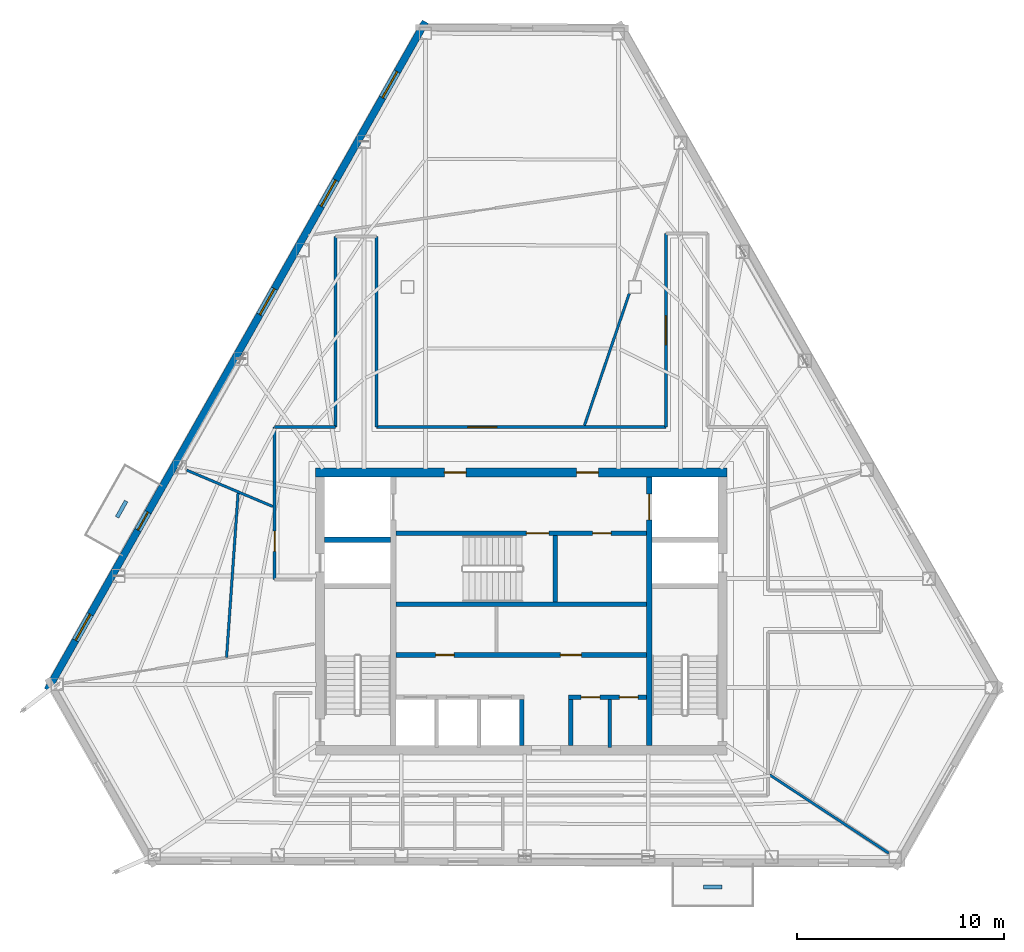
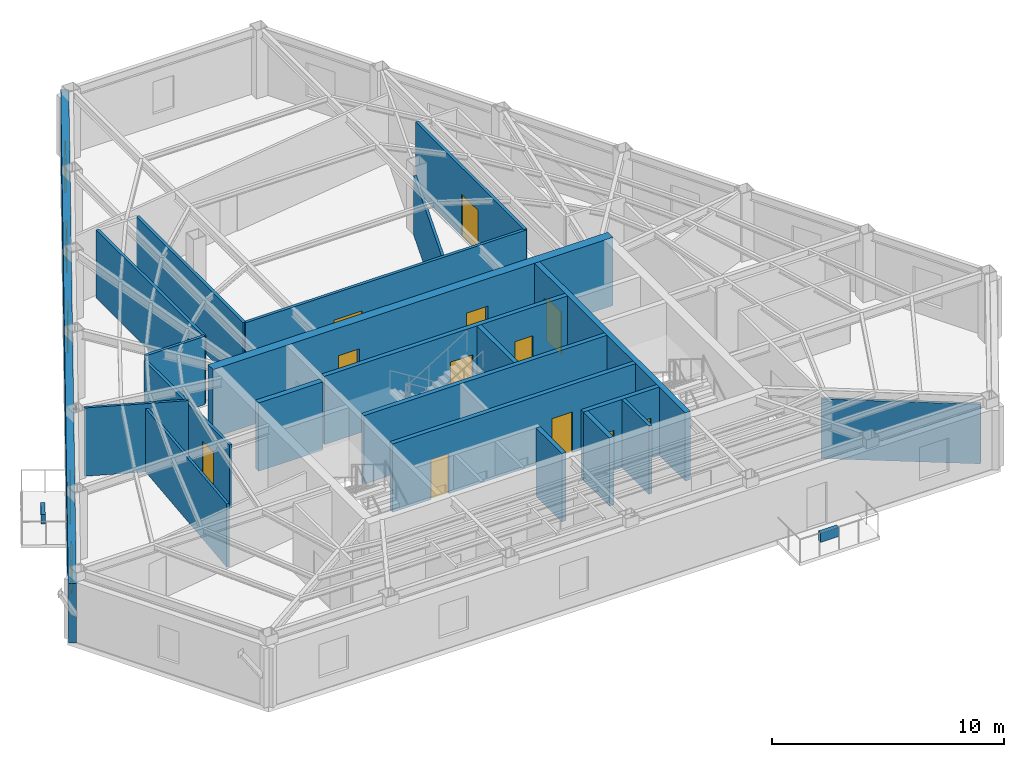
# One storey, part 9 of 13: 24 walls, 13 doors, 4 windows, 17 openings.
"""IFC4 building model written with IfcOpenShell, lengths in metres."""

from ifc_helpers import new_model, si_unit, direction, frame, frame_2d, origin, place, context, subcontext, project, spatial, rectangle, extrude, material, layer, layer_set, type_object, element, fill, save


model = new_model("IFC4")

# Units and contexts
model_context = context("Model", 3, precision=1e-05, world=origin(), true_north=direction((0.0, 1.0)))
body_context = subcontext(model_context, "Body", "Model", "MODEL_VIEW")
ifc_project = project(units=[si_unit("LENGTHUNIT", "METRE"), si_unit("AREAUNIT", "SQUARE_METRE"), si_unit("VOLUMEUNIT", "CUBIC_METRE"), si_unit("PLANEANGLEUNIT", "RADIAN"), si_unit("MASSUNIT", "GRAM", prefix="KILO")], contexts=[model_context])

# Site, building, storey
site_placement = place(None, origin())
site = spatial("IfcSite", under=ifc_project, at=site_placement, CompositionType="ELEMENT")
building_placement = place(site_placement, origin())
building = spatial("IfcBuilding", under=site, at=building_placement, Name="Kavelnor Concourse Tower", CompositionType="ELEMENT")
storey_placement = place(building_placement, frame((0.0, 0.0, 168.85009765625)))
storey = spatial("IfcBuildingStorey", under=building, at=storey_placement, Name="L42", CompositionType="ELEMENT", Elevation=168.85009765625)

# Wall, openings, doors
ifc_material_1 = material(Name="Concrete C50/60", Category="concrete")
ifc_layer_1 = layer(ifc_material_1, 0.43994140625, Name="Concrete C50/60")
ifc_layer_set_1 = layer_set([ifc_layer_1], Name="Concrete C50/60")
wall_type_1 = type_object("IfcWallType", Name="WL-CORE-Z3-440", PredefinedType="SOLIDWALL", material=ifc_layer_set_1)
wall_1_placement = place(storey_placement, frame((28.0400390625, 22.820068359375, 0.0), z_axis=(0.0, 0.0, 1.0), x_axis=(1.0, 0.0, 0.0)))
wall_1 = element("IfcWall", 1, at=wall_1_placement, inside=storey, type_object=wall_type_1, Name="L42 Central Core North Shear Wall", PredefinedType="SOLIDWALL", context=body_context, shape_type="SweptSolid", body=[
    extrude(rectangle(XDim=19.919921875, YDim=0.43994140625, at=frame_2d((9.9599609375, 0.0))), origin(), (0.0, 0.0, 1.0), 3.599853515625),
])
opening_1_placement = place(wall_1_placement, frame((6.235107421875, 0.0, 0.0)))
opening_1 = element("IfcOpeningElement", 2, at=opening_1_placement, cuts=wall_1, Name="Opening FD-105", PredefinedType="OPENING", context=body_context, shape_type="SweptSolid", body=[
    extrude(rectangle(XDim=1.050048828125, YDim=2.14990234375, at=frame_2d((0.52490234375, 1.074951171875))), frame((0.0, 0.22998046875, 0.0), z_axis=(0.0, -1.0, 0.0), x_axis=(1.0, 0.0, 0.0)), (0.0, 0.0, 1.0), 0.4599609375),
])
opening_2_placement = place(wall_1_placement, frame((12.635009765625, 0.0, 0.0)))
opening_2 = element("IfcOpeningElement", 3, at=opening_2_placement, cuts=wall_1, Name="Opening FD-105", PredefinedType="OPENING", context=body_context, shape_type="SweptSolid", body=[
    extrude(rectangle(XDim=1.050048828125, YDim=2.14990234375, at=frame_2d((0.52490234375, 1.074951171875))), frame((0.0, 0.22998046875, 0.0), z_axis=(0.0, -1.0, 0.0), x_axis=(1.0, 0.0, 0.0)), (0.0, 0.0, 1.0), 0.4599609375),
])
ifc_material_2 = material(Name="Steel Grade 350", Category="steel")
door_type_1 = type_object("IfcDoorType", Name="DR-LOBBY-FIRE-1050", OperationType="NOTDEFINED", PredefinedType="DOOR", material=ifc_material_2)
door_1_placement = place(opening_1_placement, origin())
door_1 = element("IfcDoor", 4, at=door_1_placement, inside=storey, type_object=door_type_1, Name="L42 Emergency Lift Lobby West Door", OperationType="SINGLE_SWING_LEFT", OverallHeight=2.14990234375, OverallWidth=1.050048828125, PredefinedType="DOOR", context=body_context, shape_type="SweptSolid", body=[
    extrude(rectangle(XDim=1.050048828125, YDim=2.14990234375, at=frame_2d((0.52490234375, 1.074951171875))), frame((0.0, 0.02490234375, 0.0), z_axis=(0.0, -1.0, 0.0), x_axis=(1.0, 0.0, 0.0)), (0.0, 0.0, 1.0), 0.050048828125),
])
fill(opening_1, door_1)
door_2_placement = place(opening_2_placement, origin())
door_2 = element("IfcDoor", 5, at=door_2_placement, inside=storey, type_object=door_type_1, Name="L42 Emergency Lift Lobby East Door", OperationType="SINGLE_SWING_RIGHT", OverallHeight=2.14990234375, OverallWidth=1.050048828125, PredefinedType="DOOR", context=body_context, shape_type="SweptSolid", body=[
    extrude(rectangle(XDim=1.050048828125, YDim=2.14990234375, at=frame_2d((0.52490234375, 1.074951171875))), frame((0.0, 0.02490234375, 0.0), z_axis=(0.0, -1.0, 0.0), x_axis=(1.0, 0.0, 0.0)), (0.0, 0.0, 1.0), 0.050048828125),
])
fill(opening_2, door_2)

# Wall, openings, door, windows
ifc_material_3 = material(Name="Red-ochre clay face brick masonry", Category="masonry")
ifc_layer_2 = layer(ifc_material_3, 0.35009765625, Name="Red-ochre clay face brick masonry")
ifc_layer_set_2 = layer_set([ifc_layer_2], Name="Red-ochre clay face brick masonry")
wall_type_2 = type_object("IfcWallType", Name="WL-EXT-RED-BRICK-PIER-350", PredefinedType="STANDARD", material=ifc_layer_set_2)
wall_2_placement = place(storey_placement, frame((15.072021484375, 12.29248046875, 0.0), z_axis=(0.0, 0.0, 1.0), x_axis=(0.492336574501, 0.870404904288, 0.0)))
wall_2 = element("IfcWall", 6, at=wall_2_placement, inside=storey, type_object=wall_type_2, Name="L42 Exterior Brick Facade Wall E1", PredefinedType="STANDARD", context=body_context, shape_type="SweptSolid", body=[
    extrude(rectangle(XDim=37.150390625, YDim=0.35009765625, at=frame_2d((18.5751953125, 0.0))), origin(), (0.0, 0.0, 1.0), 3.1318359375),
])
opening_3_placement = place(wall_2_placement, frame((8.8876953125, 0.0, 0.0)))
opening_3 = element("IfcOpeningElement", 7, at=opening_3_placement, cuts=wall_2, Name="Opening BD-100", PredefinedType="OPENING", context=body_context, shape_type="SweptSolid", body=[
    extrude(rectangle(XDim=1.0, YDim=2.199951171875, at=frame_2d((0.5, 1.10009765625))), frame((0.0, 0.18505859375, 0.0), z_axis=(0.0, -1.0, 0.0), x_axis=(1.0, 0.0, 0.0)), (0.0, 0.0, 1.0), 0.3701171875),
])
opening_4_placement = place(wall_2_placement, frame((32.927978515625, 0.0, 0.64990234375)))
opening_4 = element("IfcOpeningElement", 8, at=opening_4_placement, cuts=wall_2, Name="Opening W-03", PredefinedType="OPENING", context=body_context, shape_type="SweptSolid", body=[
    extrude(rectangle(XDim=1.449951171875, YDim=1.75, at=frame_2d((0.72509765625, 0.875))), frame((0.0, 0.18505859375, 0.0), z_axis=(0.0, -1.0, 0.0), x_axis=(1.0, 0.0, 0.0)), (0.0, 0.0, 1.0), 0.3701171875),
])
opening_5_placement = place(wall_2_placement, frame((26.895263671875, 0.0, 0.64990234375)))
opening_5 = element("IfcOpeningElement", 9, at=opening_5_placement, cuts=wall_2, Name="Opening W-03", PredefinedType="OPENING", context=body_context, shape_type="SweptSolid", body=[
    extrude(rectangle(XDim=1.449951171875, YDim=1.75, at=frame_2d((0.72509765625, 0.875))), frame((0.0, 0.18505859375, 0.0), z_axis=(0.0, -1.0, 0.0), x_axis=(1.0, 0.0, 0.0)), (0.0, 0.0, 1.0), 0.3701171875),
])
opening_6_placement = place(wall_2_placement, frame((20.8623046875, 0.0, 0.64990234375)))
opening_6 = element("IfcOpeningElement", 10, at=opening_6_placement, cuts=wall_2, Name="Opening W-03", PredefinedType="OPENING", context=body_context, shape_type="SweptSolid", body=[
    extrude(rectangle(XDim=1.449951171875, YDim=1.75, at=frame_2d((0.72509765625, 0.875))), frame((0.0, 0.18505859375, 0.0), z_axis=(0.0, -1.0, 0.0), x_axis=(1.0, 0.0, 0.0)), (0.0, 0.0, 1.0), 0.3701171875),
])
opening_7_placement = place(wall_2_placement, frame((2.763916015625, 0.0, 0.64990234375)))
opening_7 = element("IfcOpeningElement", 11, at=opening_7_placement, cuts=wall_2, Name="Opening W-03", PredefinedType="OPENING", context=body_context, shape_type="SweptSolid", body=[
    extrude(rectangle(XDim=1.449951171875, YDim=1.75, at=frame_2d((0.72509765625, 0.875))), frame((0.0, 0.18505859375, 0.0), z_axis=(0.0, -1.0, 0.0), x_axis=(1.0, 0.0, 0.0)), (0.0, 0.0, 1.0), 0.3701171875),
])
ifc_material_4 = material(Name="Anodised aluminium 6063-T6", Category="aluminium")
door_type_2 = type_object("IfcDoorType", Name="DR-BALCONY-EXT-1000", OperationType="NOTDEFINED", PredefinedType="DOOR", material=ifc_material_4)
door_3_placement = place(opening_3_placement, origin())
door_3 = element("IfcDoor", 12, at=door_3_placement, inside=storey, type_object=door_type_2, Name="L42 Tree Balcony 1 Glazed Door", OperationType="SINGLE_SWING_LEFT", OverallHeight=2.199951171875, OverallWidth=1.0, PredefinedType="DOOR", context=body_context, shape_type="SweptSolid", body=[
    extrude(rectangle(XDim=1.0, YDim=2.199951171875, at=frame_2d((0.5, 1.10009765625))), frame((0.0, 0.02490234375, 0.0), z_axis=(0.0, -1.0, 0.0), x_axis=(1.0, 0.0, 0.0)), (0.0, 0.0, 1.0), 0.050048828125),
])
fill(opening_3, door_3)
ifc_material_5 = material(Name="Double low-E argon insulated glazing", Category="glass")
window_type = type_object("IfcWindowType", Name="WIN-PIER-Z3-1500", PartitioningType="SINGLE_PANEL", PredefinedType="WINDOW", material=ifc_material_5)
window_1_placement = place(opening_4_placement, origin())
window_1 = element("IfcWindow", 13, at=window_1_placement, inside=storey, type_object=window_type, Name="L42 Deep-Set Brick Pier Window F0-B0", OverallHeight=1.75, OverallWidth=1.449951171875, PartitioningType="SINGLE_PANEL", PredefinedType="WINDOW", context=body_context, shape_type="SweptSolid", body=[
    extrude(rectangle(XDim=1.449951171875, YDim=1.75, at=frame_2d((0.72509765625, 0.875))), frame((0.0, 0.030029296875, 0.0), z_axis=(0.0, -1.0, 0.0), x_axis=(1.0, 0.0, 0.0)), (0.0, 0.0, 1.0), 0.06005859375),
])
fill(opening_4, window_1)
window_2_placement = place(opening_5_placement, origin())
window_2 = element("IfcWindow", 14, at=window_2_placement, inside=storey, type_object=window_type, Name="L42 Deep-Set Brick Pier Window F0-B1", OverallHeight=1.75, OverallWidth=1.449951171875, PartitioningType="SINGLE_PANEL", PredefinedType="WINDOW", context=body_context, shape_type="SweptSolid", body=[
    extrude(rectangle(XDim=1.449951171875, YDim=1.75, at=frame_2d((0.72509765625, 0.875))), frame((0.0, 0.030029296875, 0.0), z_axis=(0.0, -1.0, 0.0), x_axis=(1.0, 0.0, 0.0)), (0.0, 0.0, 1.0), 0.06005859375),
])
fill(opening_5, window_2)
window_3_placement = place(opening_6_placement, origin())
window_3 = element("IfcWindow", 15, at=window_3_placement, inside=storey, type_object=window_type, Name="L42 Deep-Set Brick Pier Window F0-B2", OverallHeight=1.75, OverallWidth=1.449951171875, PartitioningType="SINGLE_PANEL", PredefinedType="WINDOW", context=body_context, shape_type="SweptSolid", body=[
    extrude(rectangle(XDim=1.449951171875, YDim=1.75, at=frame_2d((0.72509765625, 0.875))), frame((0.0, 0.030029296875, 0.0), z_axis=(0.0, -1.0, 0.0), x_axis=(1.0, 0.0, 0.0)), (0.0, 0.0, 1.0), 0.06005859375),
])
fill(opening_6, window_3)
window_4_placement = place(opening_7_placement, origin())
window_4 = element("IfcWindow", 16, at=window_4_placement, inside=storey, type_object=window_type, Name="L42 Deep-Set Brick Pier Window F0-B5", OverallHeight=1.75, OverallWidth=1.449951171875, PartitioningType="SINGLE_PANEL", PredefinedType="WINDOW", context=body_context, shape_type="SweptSolid", body=[
    extrude(rectangle(XDim=1.449951171875, YDim=1.75, at=frame_2d((0.72509765625, 0.875))), frame((0.0, 0.030029296875, 0.0), z_axis=(0.0, -1.0, 0.0), x_axis=(1.0, 0.0, 0.0)), (0.0, 0.0, 1.0), 0.06005859375),
])
fill(opening_7, window_4)

# Wall, opening, door
ifc_material_6 = material(Name="Gypsum plasterboard on light-gauge steel studs", Category="steel")
ifc_layer_3 = layer(ifc_material_6, 0.14501953125, Name="Gypsum plasterboard on light-gauge steel studs")
ifc_layer_set_3 = layer_set([ifc_layer_3], Name="Gypsum plasterboard on light-gauge steel studs")
wall_type_3 = type_object("IfcWallType", Name="WL-INT-CORR-145", PredefinedType="PARTITIONING", material=ifc_layer_set_3)
wall_3_placement = place(storey_placement, frame((26.06005859375, 17.64990234375, 0.0), z_axis=(0.0, 0.0, 1.0), x_axis=(0.0, 1.0, 0.0)))
wall_3 = element("IfcWall", 17, at=wall_3_placement, inside=storey, type_object=wall_type_3, Name="L42 Corridor Wall WL-L42-CR-02", PredefinedType="PARTITIONING", context=body_context, shape_type="SweptSolid", body=[
    extrude(rectangle(XDim=7.3701171875, YDim=0.14501953125, at=frame_2d((3.68505859375, 0.0))), origin(), (0.0, 0.0, 1.0), 3.3388671875),
])
opening_8_placement = place(wall_3_placement, frame((1.355224609375, 0.0, 0.0)))
opening_8 = element("IfcOpeningElement", 18, at=opening_8_placement, cuts=wall_3, Name="Opening OD-098", PredefinedType="OPENING", context=body_context, shape_type="SweptSolid", body=[
    extrude(rectangle(XDim=0.97998046875, YDim=2.14990234375, at=frame_2d((0.489990234375, 1.074951171875))), frame((0.0, 0.08251953125, 0.0), z_axis=(0.0, -1.0, 0.0), x_axis=(1.0, 0.0, 0.0)), (0.0, 0.0, 1.0), 0.1650390625),
])
ifc_material_7 = material(Name="Solid-core hardwood timber", Category="wood")
door_type_3 = type_object("IfcDoorType", Name="DR-OFFICE-980", OperationType="NOTDEFINED", PredefinedType="DOOR", material=ifc_material_7)
door_4_placement = place(opening_8_placement, origin())
door_4 = element("IfcDoor", 19, at=door_4_placement, inside=storey, type_object=door_type_3, Name="L42 Tenant Bookstore Retail Shop 04 Door", OperationType="SINGLE_SWING_LEFT", OverallHeight=2.14990234375, OverallWidth=0.97998046875, PredefinedType="DOOR", context=body_context, shape_type="SweptSolid", body=[
    extrude(rectangle(XDim=0.97998046875, YDim=2.14990234375, at=frame_2d((0.489990234375, 1.074951171875))), frame((0.0, 0.02490234375, 0.0), z_axis=(0.0, -1.0, 0.0), x_axis=(1.0, 0.0, 0.0)), (0.0, 0.0, 1.0), 0.050048828125),
])
fill(opening_8, door_4)

# Walls
wall_4_placement = place(storey_placement, frame((26.06005859375, 25.02001953125, 0.0), z_axis=(0.0, 0.0, 1.0), x_axis=(1.0, 0.0, 0.0)))
element("IfcWall", 20, at=wall_4_placement, inside=storey, type_object=wall_type_3, Name="L42 Corridor Wall WL-L42-CR-03", PredefinedType="PARTITIONING", context=body_context, shape_type="SweptSolid", body=[
    extrude(rectangle(XDim=2.93994140625, YDim=0.14501953125, at=frame_2d((1.469970703125, 0.0))), origin(), (0.0, 0.0, 1.0), 3.599853515625),
])
for number, where, z_axis, x_axis, name in (
    (21, (29.0, 25.02001953125, 0.0), (0.0, 0.0, 1.0), (0.0, 1.0, 0.0), "L42 Corridor Wall WL-L42-CR-04"),
    (22, (31.0, 34.236328125, 0.0), (0.0, 0.0, 1.0), (0.0, -1.0, 0.0), "L42 Corridor Wall WL-L42-CR-06"),
):
    element("IfcWall", number, at=place(storey_placement, frame(where, z_axis=z_axis, x_axis=x_axis)), inside=storey, type_object=wall_type_3, Name=name, PredefinedType="PARTITIONING", context=body_context, shape_type="SweptSolid", body=[
        extrude(rectangle(XDim=9.21630859375, YDim=0.14501953125, at=frame_2d((4.608154296875, 0.0))), origin(), (0.0, 0.0, 1.0), 3.599853515625),
    ])

# Wall, opening, door
wall_5_placement = place(storey_placement, frame((31.0, 25.02001953125, 0.0), z_axis=(0.0, 0.0, 1.0), x_axis=(1.0, 0.0, 0.0)))
wall_5 = element("IfcWall", 23, at=wall_5_placement, inside=storey, type_object=wall_type_3, Name="L42 Corridor Wall WL-L42-CR-07", PredefinedType="PARTITIONING", context=body_context, shape_type="SweptSolid", body=[
    extrude(rectangle(XDim=14.0, YDim=0.14501953125, at=frame_2d((7.0, 0.0))), origin(), (0.0, 0.0, 1.0), 3.599853515625),
])
opening_9_placement = place(wall_5_placement, frame((4.413330078125, 0.0, 0.0)))
opening_9 = element("IfcOpeningElement", 24, at=opening_9_placement, cuts=wall_5, Name="Opening SD-140", PredefinedType="OPENING", context=body_context, shape_type="SweptSolid", body=[
    extrude(rectangle(XDim=1.39990234375, YDim=2.199951171875, at=frame_2d((0.699951171875, 1.10009765625))), frame((0.0, 0.08251953125, 0.0), z_axis=(0.0, -1.0, 0.0), x_axis=(1.0, 0.0, 0.0)), (0.0, 0.0, 1.0), 0.1650390625),
])
door_type_4 = type_object("IfcDoorType", Name="DR-SUITE-ENTRY-1400", OperationType="NOTDEFINED", PredefinedType="DOOR", material=ifc_material_7)
door_5_placement = place(opening_9_placement, origin())
door_5 = element("IfcDoor", 25, at=door_5_placement, inside=storey, type_object=door_type_4, Name="L42 Executive Dining Room 02 Door", OperationType="SINGLE_SWING_LEFT", OverallHeight=2.199951171875, OverallWidth=1.39990234375, PredefinedType="DOOR", context=body_context, shape_type="SweptSolid", body=[
    extrude(rectangle(XDim=1.39990234375, YDim=2.199951171875, at=frame_2d((0.699951171875, 1.10009765625))), frame((0.0, 0.02490234375, 0.0), z_axis=(0.0, -1.0, 0.0), x_axis=(1.0, 0.0, 0.0)), (0.0, 0.0, 1.0), 0.050048828125),
])
fill(opening_9, door_5)

wall_6_placement = place(storey_placement, frame((45.0, 25.02001953125, 0.0), z_axis=(0.0, 0.0, 1.0), x_axis=(0.0, 1.0, 0.0)))
wall_6 = element("IfcWall", 26, at=wall_6_placement, inside=storey, type_object=wall_type_3, Name="L42 Corridor Wall WL-L42-CR-08", PredefinedType="PARTITIONING", context=body_context, shape_type="SweptSolid", body=[
    extrude(rectangle(XDim=9.35498046875, YDim=0.14501953125, at=frame_2d((4.677490234375, 0.0))), origin(), (0.0, 0.0, 1.0), 3.599853515625),
])
opening_10_placement = place(wall_6_placement, frame((3.9775390625, 0.0, 0.0)))
opening_10 = element("IfcOpeningElement", 27, at=opening_10_placement, cuts=wall_6, Name="Opening SD-140", PredefinedType="OPENING", context=body_context, shape_type="SweptSolid", body=[
    extrude(rectangle(XDim=1.39990234375, YDim=2.199951171875, at=frame_2d((0.699951171875, 1.10009765625))), frame((0.0, 0.08251953125, 0.0), z_axis=(0.0, -1.0, 0.0), x_axis=(1.0, 0.0, 0.0)), (0.0, 0.0, 1.0), 0.1650390625),
])
door_6_placement = place(opening_10_placement, origin())
door_6 = element("IfcDoor", 28, at=door_6_placement, inside=storey, type_object=door_type_4, Name="L42 Tenant Bookstore Retail Shop 01 Door", OperationType="SINGLE_SWING_RIGHT", OverallHeight=2.199951171875, OverallWidth=1.39990234375, PredefinedType="DOOR", context=body_context, shape_type="SweptSolid", body=[
    extrude(rectangle(XDim=1.39990234375, YDim=2.199951171875, at=frame_2d((0.699951171875, 1.10009765625))), frame((0.0, 0.02490234375, 0.0), z_axis=(0.0, -1.0, 0.0), x_axis=(1.0, 0.0, 0.0)), (0.0, 0.0, 1.0), 0.050048828125),
])
fill(opening_10, door_6)

# Walls
ifc_layer_4 = layer(ifc_material_6, 0.1650390625, Name="Gypsum plasterboard on light-gauge steel studs")
ifc_layer_set_4 = layer_set([ifc_layer_4], Name="Gypsum plasterboard on light-gauge steel studs")
wall_type_4 = type_object("IfcWallType", Name="WL-INT-FIRE-165", PredefinedType="PARTITIONING", material=ifc_layer_set_4)
wall_7_placement = place(storey_placement, frame((42.280029296875, 9.52001953125, 0.0), z_axis=(0.0, 0.0, 1.0), x_axis=(0.0, 1.0, 0.0)))
element("IfcWall", 29, at=wall_7_placement, inside=storey, type_object=wall_type_4, Name="L42 Core Support Divider", PredefinedType="PARTITIONING", context=body_context, shape_type="SweptSolid", body=[
    extrude(rectangle(XDim=2.320068359375, YDim=0.1650390625, at=frame_2d((1.16015625, 0.0))), origin(), (0.0, 0.0, 1.0), 3.599853515625),
])
ifc_layer_5 = layer(ifc_material_6, 0.125, Name="Gypsum plasterboard on light-gauge steel studs")
ifc_layer_set_5 = layer_set([ifc_layer_5], Name="Gypsum plasterboard on light-gauge steel studs")
wall_type_5 = type_object("IfcWallType", Name="WL-INT-SUITE-125", PredefinedType="PARTITIONING", material=ifc_layer_set_5)
wall_8_placement = place(storey_placement, frame((41.05859375, 25.1005859375, 0.0), z_axis=(0.0, 0.0, 1.0), x_axis=(0.321773295772, 0.946816743688, 0.0)))
element("IfcWall", 30, at=wall_8_placement, inside=storey, type_object=wall_type_5, Name="L42 Radial Suite Partition 02", PredefinedType="PARTITIONING", context=body_context, shape_type="SweptSolid", body=[
    extrude(rectangle(XDim=6.729248046875, YDim=0.125, at=frame_2d((3.36474609375, 0.0))), origin(), (0.0, 0.0, 1.0), 3.140869140625),
])
wall_9_placement = place(storey_placement, frame((25.9794921875, 21.173583984375, 0.0), z_axis=(0.0, 0.0, 1.0), x_axis=(-0.921289917918, 0.388876442001, 0.0)))
element("IfcWall", 31, at=wall_9_placement, inside=storey, type_object=wall_type_5, Name="L42 Radial Suite Partition 03", PredefinedType="PARTITIONING", context=body_context, shape_type="SweptSolid", body=[
    extrude(rectangle(XDim=4.52783203125, YDim=0.125, at=frame_2d((2.263916015625, 0.0))), origin(), (0.0, 0.0, 1.0), 3.599853515625),
])
wall_10_placement = place(storey_placement, frame((50.0205078125, 8.18994140625, 0.0), z_axis=(0.0, 0.0, 1.0), x_axis=(0.835346502692, -0.549723767397, 0.0)))
element("IfcWall", 32, at=wall_10_placement, inside=storey, type_object=wall_type_5, Name="L42 Radial Suite Partition 05", PredefinedType="PARTITIONING", context=body_context, shape_type="SweptSolid", body=[
    extrude(rectangle(XDim=6.897216796875, YDim=0.125, at=frame_2d((3.44873046875, 0.0))), origin(), (0.0, 0.0, 1.0), 3.140869140625),
])
wall_11_placement = place(storey_placement, frame((24.30029296875, 21.8662109375, 0.0), z_axis=(0.0, 0.0, 1.0), x_axis=(-0.070058077284, -0.997542914268, 0.0)))
element("IfcWall", 33, at=wall_11_placement, inside=storey, type_object=wall_type_5, Name="L42 Suite Subdivision Partition 03", PredefinedType="PARTITIONING", context=body_context, shape_type="SweptSolid", body=[
    extrude(rectangle(XDim=8.01171875, YDim=0.125, at=frame_2d((4.005859375, 0.0))), origin(), (0.0, 0.0, 1.0), 3.3388671875),
])
ifc_material_8 = material(Name="Architectural precast planter concrete C40/50", Category="concrete")
ifc_layer_6 = layer(ifc_material_8, 0.18994140625, Name="Architectural precast planter concrete C40/50")
ifc_layer_set_6 = layer_set([ifc_layer_6], Name="Architectural precast planter concrete C40/50")
wall_type_6 = type_object("IfcWallType", Name="WL-PLANTER-KERB-190", PredefinedType="USERDEFINED", material=ifc_layer_set_6)
for number, where, z_axis, x_axis, name in (
    (34, (18.884033203125, 21.4384765625, 0.0), (0.0, 0.0, 1.0), (-0.492423750739, -0.870355588083, 0.0), "L42 Tree Balcony 1 Tree Planter Kerb"),
    (35, (46.815185546875, 2.772705078125, 0.0), (0.0, 0.0, 1.0), (0.999993780693, -0.003526836448, 0.0), "L42 Tree Balcony 2 Tree Planter Kerb"),
):
    element("IfcWall", number, at=place(storey_placement, frame(where, z_axis=z_axis, x_axis=x_axis)), inside=storey, type_object=wall_type_6, Name=name, ObjectType="PLANTER", PredefinedType="USERDEFINED", context=body_context, shape_type="SweptSolid", body=[
        extrude(rectangle(XDim=0.89990234375, YDim=0.18994140625, at=frame_2d((0.449951171875, 0.0))), origin(), (0.0, 0.0, 1.0), 0.5),
    ])

# Wall, openings, doors
ifc_layer_7 = layer(ifc_material_1, 0.219970703125, Name="Concrete C50/60")
ifc_layer_set_7 = layer_set([ifc_layer_7], Name="Concrete C50/60")
wall_type_7 = type_object("IfcWallType", Name="WL-SHAFT-220", PredefinedType="SOLIDWALL", material=ifc_layer_set_7)
wall_12_placement = place(storey_placement, frame((31.93994140625, 19.8701171875, 0.0), z_axis=(0.0, 0.0, 1.0), x_axis=(1.0, 0.0, 0.0)))
wall_12 = element("IfcWall", 36, at=wall_12_placement, inside=storey, type_object=wall_type_7, Name="L42 Emergency Lift Lobby South Wall", PredefinedType="SOLIDWALL", context=body_context, shape_type="SweptSolid", body=[
    extrude(rectangle(XDim=12.1201171875, YDim=0.219970703125, at=frame_2d((6.06005859375, 0.0))), origin(), (0.0, 0.0, 1.0), 3.599853515625),
])
opening_11_placement = place(wall_12_placement, frame((6.300048828125, 0.0, 0.0)))
opening_11 = element("IfcOpeningElement", 37, at=opening_11_placement, cuts=wall_12, Name="Opening FD-110", PredefinedType="OPENING", context=body_context, shape_type="SweptSolid", body=[
    extrude(rectangle(XDim=1.10009765625, YDim=2.14990234375, at=frame_2d((0.550048828125, 1.074951171875))), frame((0.0, 0.1201171875, 0.0), z_axis=(0.0, -1.0, 0.0), x_axis=(1.0, 0.0, 0.0)), (0.0, 0.0, 1.0), 0.239990234375),
])
opening_12_placement = place(wall_12_placement, frame((9.510009765625, 0.0, 0.0)))
opening_12 = element("IfcOpeningElement", 38, at=opening_12_placement, cuts=wall_12, Name="Opening FD-090", PredefinedType="OPENING", context=body_context, shape_type="SweptSolid", body=[
    extrude(rectangle(XDim=0.89990234375, YDim=2.10009765625, at=frame_2d((0.449951171875, 1.050048828125))), frame((0.0, 0.1201171875, 0.0), z_axis=(0.0, -1.0, 0.0), x_axis=(1.0, 0.0, 0.0)), (0.0, 0.0, 1.0), 0.239990234375),
])
door_type_5 = type_object("IfcDoorType", Name="DR-RISER-FIRE-900", OperationType="NOTDEFINED", PredefinedType="DOOR", material=ifc_material_2)
door_7_placement = place(opening_12_placement, origin())
door_7 = element("IfcDoor", 39, at=door_7_placement, inside=storey, type_object=door_type_5, Name="L42 Electrical Comms Door", OperationType="SINGLE_SWING_LEFT", OverallHeight=2.10009765625, OverallWidth=0.89990234375, PredefinedType="DOOR", context=body_context, shape_type="SweptSolid", body=[
    extrude(rectangle(XDim=0.89990234375, YDim=2.10009765625, at=frame_2d((0.449951171875, 1.050048828125))), frame((0.0, 0.02490234375, 0.0), z_axis=(0.0, -1.0, 0.0), x_axis=(1.0, 0.0, 0.0)), (0.0, 0.0, 1.0), 0.050048828125),
])
fill(opening_12, door_7)
door_type_6 = type_object("IfcDoorType", Name="DR-STAIR-FIRE-1100", OperationType="NOTDEFINED", PredefinedType="DOOR", material=ifc_material_2)
door_8_placement = place(opening_11_placement, origin())
door_8 = element("IfcDoor", 40, at=door_8_placement, inside=storey, type_object=door_type_6, Name="L42 Stair ST3 Fire Door", OperationType="SINGLE_SWING_LEFT", OverallHeight=2.14990234375, OverallWidth=1.10009765625, PredefinedType="DOOR", context=body_context, shape_type="SweptSolid", body=[
    extrude(rectangle(XDim=1.10009765625, YDim=2.14990234375, at=frame_2d((0.550048828125, 1.074951171875))), frame((0.0, 0.02490234375, 0.0), z_axis=(0.0, -1.0, 0.0), x_axis=(1.0, 0.0, 0.0)), (0.0, 0.0, 1.0), 0.050048828125),
])
fill(opening_11, door_8)

# Walls
wall_13_placement = place(storey_placement, frame((31.93994140625, 16.449951171875, 0.0), z_axis=(0.0, 0.0, 1.0), x_axis=(1.0, 0.0, 0.0)))
element("IfcWall", 41, at=wall_13_placement, inside=storey, type_object=wall_type_7, Name="L42 Stair ST3 South Core Wall", PredefinedType="SOLIDWALL", context=body_context, shape_type="SweptSolid", body=[
    extrude(rectangle(XDim=12.1201171875, YDim=0.219970703125, at=frame_2d((6.06005859375, 0.0))), origin(), (0.0, 0.0, 1.0), 3.599853515625),
])
wall_14_placement = place(storey_placement, frame((39.64990234375, 16.56005859375, 0.0), z_axis=(0.0, 0.0, 1.0), x_axis=(0.0, 1.0, 0.0)))
element("IfcWall", 42, at=wall_14_placement, inside=storey, type_object=wall_type_7, Name="L42 Stair ST3 East Core Wall", PredefinedType="SOLIDWALL", context=body_context, shape_type="SweptSolid", body=[
    extrude(rectangle(XDim=3.199951171875, YDim=0.219970703125, at=frame_2d((1.60009765625, 0.0))), origin(), (0.0, 0.0, 1.0), 3.599853515625),
])

# Wall, openings, doors
wall_15_placement = place(storey_placement, frame((31.93994140625, 13.989990234375, 0.0), z_axis=(0.0, 0.0, 1.0), x_axis=(1.0, 0.0, 0.0)))
wall_15 = element("IfcWall", 43, at=wall_15_placement, inside=storey, type_object=wall_type_7, Name="L42 North Lift Row Shaft Wall", PredefinedType="SOLIDWALL", context=body_context, shape_type="SweptSolid", body=[
    extrude(rectangle(XDim=12.1201171875, YDim=0.219970703125, at=frame_2d((6.06005859375, 0.0))), origin(), (0.0, 0.0, 1.0), 3.599853515625),
])
opening_13_placement = place(wall_15_placement, frame((1.909912109375, 0.0, 0.0)))
opening_13 = element("IfcOpeningElement", 44, at=opening_13_placement, cuts=wall_15, Name="Opening FD-090", PredefinedType="OPENING", context=body_context, shape_type="SweptSolid", body=[
    extrude(rectangle(XDim=0.89990234375, YDim=2.10009765625, at=frame_2d((0.449951171875, 1.050048828125))), frame((0.0, 0.1201171875, 0.0), z_axis=(0.0, -1.0, 0.0), x_axis=(1.0, 0.0, 0.0)), (0.0, 0.0, 1.0), 0.239990234375),
])
opening_14_placement = place(wall_15_placement, frame((7.949951171875, 0.0, 0.0)))
opening_14 = element("IfcOpeningElement", 45, at=opening_14_placement, cuts=wall_15, Name="Opening MD-102", PredefinedType="OPENING", context=body_context, shape_type="SweptSolid", body=[
    extrude(rectangle(XDim=1.02001953125, YDim=2.14990234375, at=frame_2d((0.510009765625, 1.074951171875))), frame((0.0, 0.1201171875, 0.0), z_axis=(0.0, -1.0, 0.0), x_axis=(1.0, 0.0, 0.0)), (0.0, 0.0, 1.0), 0.239990234375),
])
ifc_material_9 = material(Name="Acoustic glazed timber frame", Category="wood")
door_type_7 = type_object("IfcDoorType", Name="DR-MEETING-1020", OperationType="NOTDEFINED", PredefinedType="DOOR", material=ifc_material_9)
door_9_placement = place(opening_14_placement, origin())
door_9 = element("IfcDoor", 46, at=door_9_placement, inside=storey, type_object=door_type_7, Name="L42 Briefing Room Door", OperationType="SINGLE_SWING_RIGHT", OverallHeight=2.14990234375, OverallWidth=1.02001953125, PredefinedType="DOOR", context=body_context, shape_type="SweptSolid", body=[
    extrude(rectangle(XDim=1.02001953125, YDim=2.14990234375, at=frame_2d((0.510009765625, 1.074951171875))), frame((0.0, 0.02490234375, 0.0), z_axis=(0.0, -1.0, 0.0), x_axis=(1.0, 0.0, 0.0)), (0.0, 0.0, 1.0), 0.050048828125),
])
fill(opening_14, door_9)
door_10_placement = place(opening_13_placement, origin())
door_10 = element("IfcDoor", 47, at=door_10_placement, inside=storey, type_object=door_type_5, Name="L42 IT Room Door", OperationType="SINGLE_SWING_LEFT", OverallHeight=2.10009765625, OverallWidth=0.89990234375, PredefinedType="DOOR", context=body_context, shape_type="SweptSolid", body=[
    extrude(rectangle(XDim=0.89990234375, YDim=2.10009765625, at=frame_2d((0.449951171875, 1.050048828125))), frame((0.0, 0.02490234375, 0.0), z_axis=(0.0, -1.0, 0.0), x_axis=(1.0, 0.0, 0.0)), (0.0, 0.0, 1.0), 0.050048828125),
])
fill(opening_13, door_10)

wall_16_placement = place(storey_placement, frame((40.280029296875, 11.949951171875, 0.0), z_axis=(0.0, 0.0, 1.0), x_axis=(1.0, 0.0, 0.0)))
wall_16 = element("IfcWall", 48, at=wall_16_placement, inside=storey, type_object=wall_type_7, Name="L42 Core South Support North Wall", PredefinedType="SOLIDWALL", context=body_context, shape_type="SweptSolid", body=[
    extrude(rectangle(XDim=3.780029296875, YDim=0.219970703125, at=frame_2d((1.89013671875, 0.0))), origin(), (0.0, 0.0, 1.0), 3.599853515625),
])
opening_15_placement = place(wall_16_placement, frame((0.6201171875, 0.0, 0.0)))
opening_15 = element("IfcOpeningElement", 49, at=opening_15_placement, cuts=wall_16, Name="Opening FD-090", PredefinedType="OPENING", context=body_context, shape_type="SweptSolid", body=[
    extrude(rectangle(XDim=0.89990234375, YDim=2.10009765625, at=frame_2d((0.449951171875, 1.050048828125))), frame((0.0, 0.1201171875, 0.0), z_axis=(0.0, -1.0, 0.0), x_axis=(1.0, 0.0, 0.0)), (0.0, 0.0, 1.0), 0.239990234375),
])
opening_16_placement = place(wall_16_placement, frame((2.469970703125, 0.0, 0.0)))
opening_16 = element("IfcOpeningElement", 50, at=opening_16_placement, cuts=wall_16, Name="Opening FD-090", PredefinedType="OPENING", context=body_context, shape_type="SweptSolid", body=[
    extrude(rectangle(XDim=0.89990234375, YDim=2.10009765625, at=frame_2d((0.449951171875, 1.050048828125))), frame((0.0, 0.1201171875, 0.0), z_axis=(0.0, -1.0, 0.0), x_axis=(1.0, 0.0, 0.0)), (0.0, 0.0, 1.0), 0.239990234375),
])
door_11_placement = place(opening_15_placement, origin())
door_11 = element("IfcDoor", 51, at=door_11_placement, inside=storey, type_object=door_type_5, Name="L42 Cleaner Cupboard Door", OperationType="SINGLE_SWING_RIGHT", OverallHeight=2.10009765625, OverallWidth=0.89990234375, PredefinedType="DOOR", context=body_context, shape_type="SweptSolid", body=[
    extrude(rectangle(XDim=0.89990234375, YDim=2.10009765625, at=frame_2d((0.449951171875, 1.050048828125))), frame((0.0, 0.02490234375, 0.0), z_axis=(0.0, -1.0, 0.0), x_axis=(1.0, 0.0, 0.0)), (0.0, 0.0, 1.0), 0.050048828125),
])
fill(opening_15, door_11)
door_12_placement = place(opening_16_placement, origin())
door_12 = element("IfcDoor", 52, at=door_12_placement, inside=storey, type_object=door_type_5, Name="L42 Supplies Store Door", OperationType="SINGLE_SWING_LEFT", OverallHeight=2.10009765625, OverallWidth=0.89990234375, PredefinedType="DOOR", context=body_context, shape_type="SweptSolid", body=[
    extrude(rectangle(XDim=0.89990234375, YDim=2.10009765625, at=frame_2d((0.449951171875, 1.050048828125))), frame((0.0, 0.02490234375, 0.0), z_axis=(0.0, -1.0, 0.0), x_axis=(1.0, 0.0, 0.0)), (0.0, 0.0, 1.0), 0.050048828125),
])
fill(opening_16, door_12)

# Walls
for number, where, z_axis, x_axis, name in (
    (53, (38.02001953125, 9.60009765625, 0.0), (0.0, 0.0, 1.0), (0.0, 1.0, 0.0), "L42 Lift Lobby Throat West Wall"),
    (54, (40.389892578125, 9.60009765625, 0.0), (0.0, 0.0, 1.0), (0.0, 1.0, 0.0), "L42 Lift Lobby Throat East Wall"),
):
    element("IfcWall", number, at=place(storey_placement, frame(where, z_axis=z_axis, x_axis=x_axis)), inside=storey, type_object=wall_type_7, Name=name, PredefinedType="SOLIDWALL", context=body_context, shape_type="SweptSolid", body=[
        extrude(rectangle(XDim=2.239990234375, YDim=0.219970703125, at=frame_2d((1.1201171875, 0.0))), origin(), (0.0, 0.0, 1.0), 3.599853515625),
    ])

# Wall, opening, door
ifc_layer_8 = layer(ifc_material_1, 0.260009765625, Name="Concrete C50/60")
ifc_layer_set_8 = layer_set([ifc_layer_8], Name="Concrete C50/60")
wall_type_8 = type_object("IfcWallType", Name="WL-SHAFT-260", PredefinedType="SHEAR", material=ifc_layer_set_8)
wall_17_placement = place(storey_placement, frame((44.18994140625, 9.60009765625, 0.0), z_axis=(0.0, 0.0, 1.0), x_axis=(0.0, 1.0, 0.0)))
wall_17 = element("IfcWall", 55, at=wall_17_placement, inside=storey, type_object=wall_type_8, Name="L42 Core East Wing Shear Wall", PredefinedType="SHEAR", context=body_context, shape_type="SweptSolid", body=[
    extrude(rectangle(XDim=13.0, YDim=0.260009765625, at=frame_2d((6.5, 0.0))), origin(), (0.0, 0.0, 1.0), 3.599853515625),
])
opening_17_placement = place(wall_17_placement, frame((10.925048828125, 0.0, 0.0)))
opening_17 = element("IfcOpeningElement", 56, at=opening_17_placement, cuts=wall_17, Name="Opening LD-125", PredefinedType="OPENING", context=body_context, shape_type="SweptSolid", body=[
    extrude(rectangle(XDim=1.25, YDim=2.25, at=frame_2d((0.625, 1.125))), frame((0.0, 0.14013671875, 0.0), z_axis=(0.0, -1.0, 0.0), x_axis=(1.0, 0.0, 0.0)), (0.0, 0.0, 1.0), 0.280029296875),
])
door_type_8 = type_object("IfcDoorType", Name="DR-LIFT-SLIDING-1250", OperationType="NOTDEFINED", PredefinedType="DOOR", material=ifc_material_2)
door_13_placement = place(opening_17_placement, origin())
door_13 = element("IfcDoor", 57, at=door_13_placement, inside=storey, type_object=door_type_8, Name="L42 Emergency Lift FL2 Landing Door", OperationType="DOUBLE_DOOR_SLIDING", OverallHeight=2.25, OverallWidth=1.25, PredefinedType="DOOR", context=body_context, shape_type="SweptSolid", body=[
    extrude(rectangle(XDim=1.25, YDim=2.25, at=frame_2d((0.625, 1.125))), frame((0.0, 0.02490234375, 0.0), z_axis=(0.0, -1.0, 0.0), x_axis=(1.0, 0.0, 0.0)), (0.0, 0.0, 1.0), 0.050048828125),
])
fill(opening_17, door_13)

# Wall
wall_18_placement = place(storey_placement, frame((28.47998046875, 19.570068359375, 0.0), z_axis=(0.0, 0.0, 1.0), x_axis=(1.0, 0.0, 0.0)))
element("IfcWall", 58, at=wall_18_placement, inside=storey, type_object=wall_type_8, Name="L42 Emergency Lift FL1 South Shaft Wall", PredefinedType="SHEAR", context=body_context, shape_type="SweptSolid", body=[
    extrude(rectangle(XDim=3.199951171875, YDim=0.260009765625, at=frame_2d((1.60009765625, 0.0))), origin(), (0.0, 0.0, 1.0), 3.599853515625),
])

save(model, "model.ifc")
